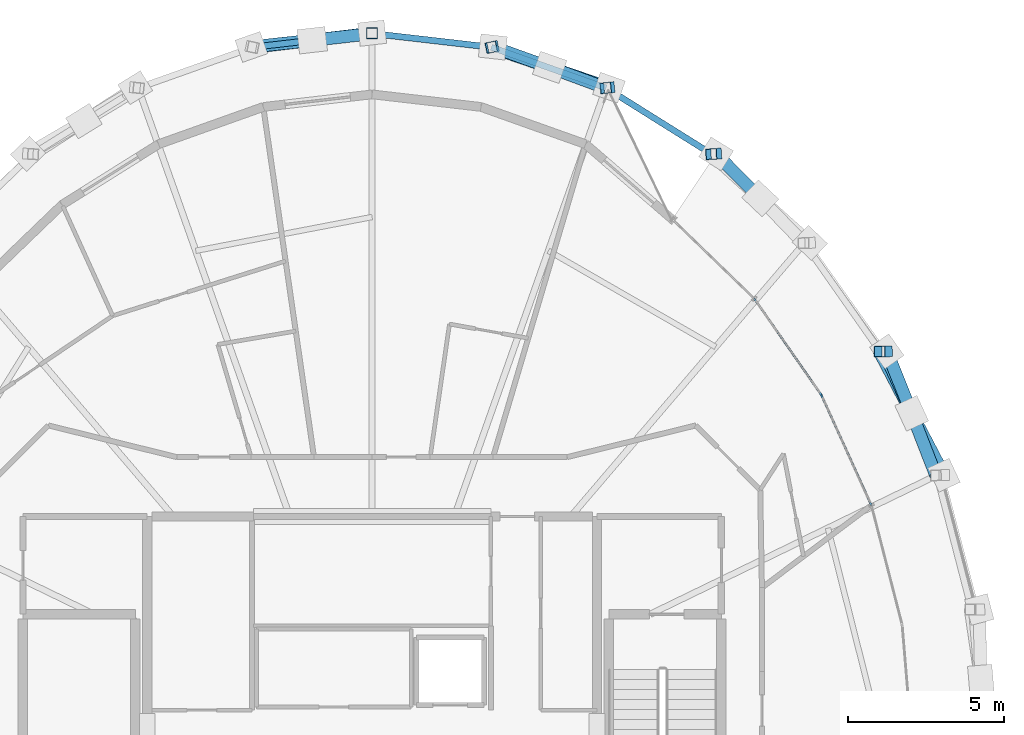
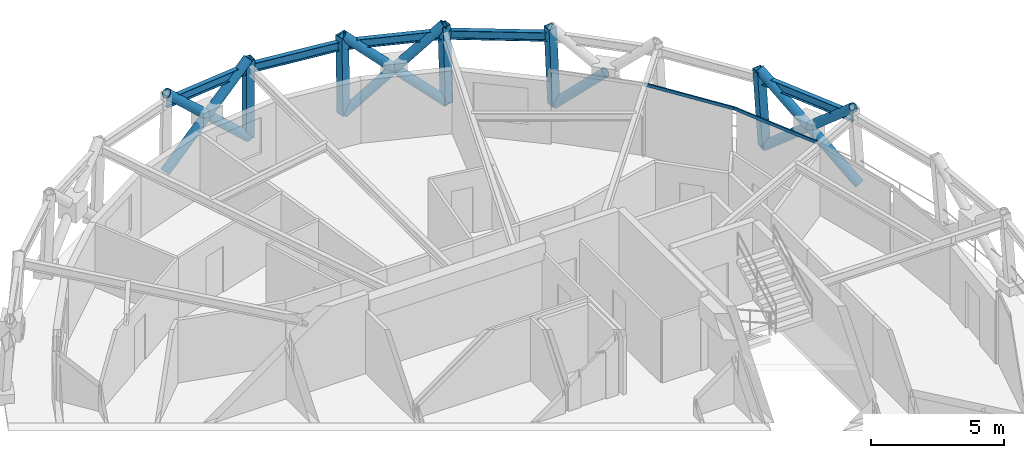
# One storey, part 8 of 15: 17 members, 5 beams, 1 element without a shape of its own.
"""IFC4 building model written with IfcOpenShell, lengths in metres."""

from ifc_helpers import new_model, si_unit, direction, frame, origin, origin_2d, place, context, subcontext, project, spatial, hollow_rectangle, hollow_circle, i_section, extrude, material, layer, layer_set, material_profile, profile_set, type_object, element, aggregate, save


model = new_model("IFC4")

# Units and contexts
model_context = context("Model", 3, precision=1e-05, world=origin(), true_north=direction((0.0, 1.0)))
body_context = subcontext(model_context, "Body", "Model", "MODEL_VIEW")
ifc_project = project(units=[si_unit("LENGTHUNIT", "METRE"), si_unit("AREAUNIT", "SQUARE_METRE"), si_unit("VOLUMEUNIT", "CUBIC_METRE"), si_unit("PLANEANGLEUNIT", "RADIAN"), si_unit("MASSUNIT", "GRAM", prefix="KILO")], contexts=[model_context])

# Site, building, storey
site_placement = place(None, origin())
site = spatial("IfcSite", under=ifc_project, at=site_placement, CompositionType="ELEMENT")
building_placement = place(site_placement, origin())
building = spatial("IfcBuilding", under=site, at=building_placement, Name="Veldorina Hangang Commons", CompositionType="ELEMENT")
storey_placement = place(building_placement, frame((0.0, 0.0, 290.39990234375)))
storey = spatial("IfcBuildingStorey", under=building, at=storey_placement, Name="L76", CompositionType="ELEMENT", Elevation=290.39990234375)

# Beams
ifc_material_1 = material(Name="Steel SM355-TMC", Category="steel")
ifc_material_profile_1 = material_profile(ifc_material_1, i_section(OverallWidth=0.199951171875, OverallDepth=0.39990234375, WebThickness=0.008056640625, FlangeThickness=0.012939453125, FilletRadius=0.012939453125, at=origin_2d()), Name="H-400x200x8x13")
ifc_profile_set_1 = profile_set([ifc_material_profile_1], Name="Steel SM355-TMC")
beam_type = type_object("IfcBeamType", Name="BM-RB400", PredefinedType="BEAM", material=ifc_profile_set_1)
beam_1_placement = place(storey_placement, frame((50.0810546875, 32.768798828125, 3.16015625), z_axis=(-0.415289323672, 0.909689385254, 0.0), x_axis=(-0.909689385254, -0.415289323672, 0.0)))
element("IfcBeam", 1, at=beam_1_placement, inside=storey, type_object=beam_type, Name="L76 perimeter hoop ring beam 02", PredefinedType="BEAM", context=body_context, shape_type="SweptSolid", body=[
    extrude(i_section(OverallWidth=0.199951171875, OverallDepth=0.39990234375, WebThickness=0.008056640625, FlangeThickness=0.012939453125, FilletRadius=0.012939453125, at=origin_2d()), origin(), (0.0, 0.0, 1.0), 4.3544921875),
])
beam_2_placement = place(storey_placement, frame((42.873046875, 43.052001953125, 3.16015625), z_axis=(-0.847692335446, 0.530488175577, 0.0), x_axis=(-0.530488175577, -0.847692335446, 0.0)))
element("IfcBeam", 2, at=beam_2_placement, inside=storey, type_object=beam_type, Name="L76 perimeter hoop ring beam 05", PredefinedType="BEAM", context=body_context, shape_type="SweptSolid", body=[
    extrude(i_section(OverallWidth=0.199951171875, OverallDepth=0.39990234375, WebThickness=0.008056640625, FlangeThickness=0.012939453125, FilletRadius=0.012939453125, at=origin_2d()), origin(), (0.0, 0.0, 1.0), 3.991455078125),
])
beam_3_placement = place(storey_placement, frame((39.489501953125, 45.16943359375, 3.16015625), z_axis=(-0.942330235689, 0.334684518474, 0.0), x_axis=(-0.334684518474, -0.942330235689, 0.0)))
element("IfcBeam", 3, at=beam_3_placement, inside=storey, type_object=beam_type, Name="L76 perimeter hoop ring beam 06", PredefinedType="BEAM", context=body_context, shape_type="SweptSolid", body=[
    extrude(i_section(OverallWidth=0.199951171875, OverallDepth=0.39990234375, WebThickness=0.008056640625, FlangeThickness=0.012939453125, FilletRadius=0.012939453125, at=origin_2d()), origin(), (0.0, 0.0, 1.0), 3.89599609375),
])
for number, where, z_axis, x_axis, name in (
    (4, (35.818115234375, 46.473388671875, 3.16015625), (-0.993419781155, 0.114530076439, 0.0), (-0.114530076439, -0.993419781155, 0.0), "L76 perimeter hoop ring beam 07"),
    (5, (32.0, 46.91357421875, 3.16015625), (-0.993419781155, -0.114530076439, 0.0), (0.114530076439, -0.993419781155, 0.0), "L76 perimeter hoop ring beam 08"),
):
    element("IfcBeam", number, at=place(storey_placement, frame(where, z_axis=z_axis, x_axis=x_axis)), inside=storey, type_object=beam_type, Name=name, PredefinedType="BEAM", context=body_context, shape_type="SweptSolid", body=[
        extrude(i_section(OverallWidth=0.199951171875, OverallDepth=0.39990234375, WebThickness=0.008056640625, FlangeThickness=0.012939453125, FilletRadius=0.012939453125, at=origin_2d()), origin(), (0.0, 0.0, 1.0), 3.843505859375),
    ])

# Curtain wall, members
ifc_material_2 = material(Name="Glass Low-E Selective", Category="glass")
ifc_layer = layer(ifc_material_2, 0.179931640625)
ifc_layer_set = layer_set([ifc_layer], Name="Glass Low-E Selective")
curtain_wall_type = type_object("IfcCurtainWallType", Name="CW-SYS-Z3", PredefinedType="NOTDEFINED", material=ifc_layer_set)
curtain_wall_placement = place(storey_placement, origin())
curtain_wall = element("IfcCurtainWall", 6, at=curtain_wall_placement, inside=storey, type_object=curtain_wall_type, Name="L76 unitised curtain wall CW-L76-R1", PredefinedType="NOTDEFINED")
ifc_material_3 = material(Name="Aluminium Anodized AA6063-T6", Category="aluminium")
ifc_material_profile_2 = material_profile(ifc_material_3, hollow_rectangle(XDim=0.06005859375, YDim=0.139892578125, WallThickness=0.00341796875, at=origin_2d()), Name="ALU-RHS-140x60x3.5")
ifc_profile_set_2 = profile_set([ifc_material_profile_2], Name="Aluminium Anodized AA6063-T6")
member_type_1 = type_object("IfcMemberType", Name="CW-TRN-140", PredefinedType="USERDEFINED", material=ifc_profile_set_2)
member_1_placement = place(storey_placement, frame((47.984375, 31.808349609375, 3.280029296875), z_axis=(-0.412824348326, 0.910810659484, 0.0), x_axis=(-0.910810659484, -0.412824348326, 0.0)))
member_1 = element("IfcMember", 7, at=member_1_placement, type_object=member_type_1, Name="CW-L76-R1 facet 3 transom 1", ObjectType="TRANSOM", PredefinedType="USERDEFINED", context=body_context, shape_type="SweptSolid", body=[
    extrude(hollow_rectangle(XDim=0.06005859375, YDim=0.139892578125, WallThickness=0.00341796875, at=origin_2d()), origin(), (0.0, 0.0, 1.0), 3.873046875),
])
member_2_placement = place(storey_placement, frame((46.385498046875, 35.3359375, 3.280029296875), z_axis=(-0.571176518666, 0.820827256202, 0.0), x_axis=(-0.820827256202, -0.571176518666, 0.0)))
member_2 = element("IfcMember", 8, at=member_2_placement, type_object=member_type_1, Name="CW-L76-R1 facet 4 transom 1", ObjectType="TRANSOM", PredefinedType="USERDEFINED", context=body_context, shape_type="SweptSolid", body=[
    extrude(hollow_rectangle(XDim=0.06005859375, YDim=0.139892578125, WallThickness=0.00341796875, at=origin_2d()), origin(), (0.0, 0.0, 1.0), 3.76708984375),
])
aggregate(curtain_wall, [member_1, member_2])

# Members
ifc_material_profile_3 = material_profile(ifc_material_1, hollow_circle(Radius=0.199951171875, WallThickness=0.02001953125, at=origin_2d()), Name="CHS-400x20")
ifc_profile_set_3 = profile_set([ifc_material_profile_3], Name="Steel SM355-TMC")
member_type_2 = type_object("IfcMemberType", Name="DG-CHS400", PredefinedType="BRACE", material=ifc_profile_set_3)
member_3_placement = place(storey_placement, frame((50.3125, 32.772705078125, 0.0), z_axis=(-0.360714109681, 0.689843387007, 0.627695334123), x_axis=(-0.886165231584, -0.46336938001, 0.0)))
element("IfcMember", 9, at=member_3_placement, inside=storey, type_object=member_type_2, Name="L76 continuous perimeter diagrid brace 02", PredefinedType="BRACE", context=body_context, shape_type="SweptSolid", body=[
    extrude(hollow_circle(Radius=0.199951171875, WallThickness=0.02001953125, at=origin_2d()), origin(), (0.0, 0.0, 1.0), 5.7353515625),
])
member_4_placement = place(storey_placement, frame((48.480712890625, 36.736083984375, 0.0), z_axis=(0.284752304542, -0.709172994043, 0.644972704522), x_axis=(0.9279871636, 0.372612163239, 0.0)))
element("IfcMember", 10, at=member_4_placement, inside=storey, type_object=member_type_2, Name="L76 split perimeter diagrid lower brace 03", PredefinedType="BRACE", context=body_context, shape_type="SweptSolid", body=[
    extrude(hollow_circle(Radius=0.199951171875, WallThickness=0.02001953125, at=origin_2d()), origin(), (0.0, 0.0, 1.0), 2.795166015625),
])
member_5_placement = place(storey_placement, frame((49.276611328125, 34.75390625, 1.802734375), z_axis=(0.27702421931, -0.712398039794, 0.644784161417), x_axis=(0.932013272639, 0.36242414327, 0.0)))
element("IfcMember", 11, at=member_5_placement, inside=storey, type_object=member_type_2, Name="L76 split perimeter diagrid upper brace 03", PredefinedType="BRACE", context=body_context, shape_type="SweptSolid", body=[
    extrude(hollow_circle(Radius=0.199951171875, WallThickness=0.02001953125, at=origin_2d()), origin(), (0.0, 0.0, 1.0), 2.78759765625),
])
member_6_placement = place(storey_placement, frame((43.01220703125, 43.060791015625, 0.0), z_axis=(0.524124718408, -0.527286994764, 0.668776274031), x_axis=(0.709230301674, 0.704976864292, 0.0)))
element("IfcMember", 12, at=member_6_placement, inside=storey, type_object=member_type_2, Name="L76 split perimeter diagrid lower brace 05", PredefinedType="BRACE", context=body_context, shape_type="SweptSolid", body=[
    extrude(hollow_circle(Radius=0.199951171875, WallThickness=0.02001953125, at=origin_2d()), origin(), (0.0, 0.0, 1.0), 2.7021484375),
])
member_7_placement = place(storey_placement, frame((39.585205078125, 45.17919921875, 0.0), z_axis=(-0.702323503941, 0.240574650884, 0.669974277987), x_axis=(-0.324056754657, -0.946037641831, 0.0)))
element("IfcMember", 13, at=member_7_placement, inside=storey, type_object=member_type_2, Name="L76 continuous perimeter diagrid brace 06", PredefinedType="BRACE", context=body_context, shape_type="SweptSolid", body=[
    extrude(hollow_circle(Radius=0.199951171875, WallThickness=0.02001953125, at=origin_2d()), origin(), (0.0, 0.0, 1.0), 5.37353515625),
])
member_8_placement = place(storey_placement, frame((35.866943359375, 46.483642578125, 0.0), z_axis=(0.686602192342, -0.246867168606, 0.683837722369), x_axis=(0.338343776847, 0.941022576068, 0.0)))
element("IfcMember", 14, at=member_8_placement, inside=storey, type_object=member_type_2, Name="L76 split perimeter diagrid lower brace 07", PredefinedType="BRACE", context=body_context, shape_type="SweptSolid", body=[
    extrude(hollow_circle(Radius=0.199951171875, WallThickness=0.02001953125, at=origin_2d()), origin(), (0.0, 0.0, 1.0), 2.6494140625),
])
member_9_placement = place(storey_placement, frame((37.68603515625, 45.82958984375, 1.811767578125), z_axis=(0.684433199342, -0.252975173243, 0.683779757935), x_axis=(0.346689290759, 0.937980029464, 0.0)))
element("IfcMember", 15, at=member_9_placement, inside=storey, type_object=member_type_2, Name="L76 split perimeter diagrid upper brace 07", PredefinedType="BRACE", context=body_context, shape_type="SweptSolid", body=[
    extrude(hollow_circle(Radius=0.199951171875, WallThickness=0.02001953125, at=origin_2d()), origin(), (0.0, 0.0, 1.0), 2.615478515625),
])
member_10_placement = place(storey_placement, frame((32.0, 46.92431640625, 0.0), z_axis=(-0.724268826582, -0.08596951737, 0.684137346536), x_axis=(0.117870898916, -0.99302892767, 0.0)))
element("IfcMember", 16, at=member_10_placement, inside=storey, type_object=member_type_2, Name="L76 continuous perimeter diagrid brace 08", PredefinedType="BRACE", context=body_context, shape_type="SweptSolid", body=[
    extrude(hollow_circle(Radius=0.199951171875, WallThickness=0.02001953125, at=origin_2d()), origin(), (0.0, 0.0, 1.0), 5.26220703125),
])
member_11_placement = place(storey_placement, frame((28.133056640625, 46.483642578125, 0.0), z_axis=(0.72964988342, 0.079659695219, 0.679165208608), x_axis=(-0.108530348661, 0.99409313619, 0.0)))
element("IfcMember", 17, at=member_11_placement, inside=storey, type_object=member_type_2, Name="L76 split perimeter diagrid lower brace 09", PredefinedType="BRACE", context=body_context, shape_type="SweptSolid", body=[
    extrude(hollow_circle(Radius=0.199951171875, WallThickness=0.02001953125, at=origin_2d()), origin(), (0.0, 0.0, 1.0), 2.66943359375),
])
member_12_placement = place(storey_placement, frame((30.080810546875, 46.6962890625, 1.81298828125), z_axis=(0.729375268231, 0.082021083465, 0.679179107423), x_axis=(-0.111749520786, 0.993736405997, 0.0)))
element("IfcMember", 18, at=member_12_placement, inside=storey, type_object=member_type_2, Name="L76 split perimeter diagrid upper brace 09", PredefinedType="BRACE", context=body_context, shape_type="SweptSolid", body=[
    extrude(hollow_circle(Radius=0.199951171875, WallThickness=0.02001953125, at=origin_2d()), origin(), (0.0, 0.0, 1.0), 2.63134765625),
])
ifc_material_profile_4 = material_profile(ifc_material_1, hollow_rectangle(XDim=0.35009765625, YDim=0.35009765625, WallThickness=0.01611328125, at=origin_2d()), Name="SHS-350x350x16")
ifc_profile_set_4 = profile_set([ifc_material_profile_4], Name="Steel SM355-TMC")
member_type_3 = type_object("IfcMemberType", Name="STR-SHS350", PredefinedType="STRUT", material=ifc_profile_set_4)
member_13_placement = place(storey_placement, frame((48.480712890625, 36.736083984375, 0.0), z_axis=(-0.065705950806, -0.001894713309, 0.997837230259), x_axis=(0.028824269664, -0.999584494417, 0.0)))
element("IfcMember", 19, at=member_13_placement, inside=storey, type_object=member_type_3, Name="L76 perimeter ring node post 03", PredefinedType="STRUT", context=body_context, shape_type="SweptSolid", body=[
    extrude(hollow_rectangle(XDim=0.35009765625, YDim=0.35009765625, WallThickness=0.01611328125, at=origin_2d()), origin(), (0.0, 0.0, 1.0), 3.60791015625),
])
member_14_placement = place(storey_placement, frame((43.01220703125, 43.060791015625, 0.0), z_axis=(-0.044036818843, -0.002777707035, 0.999026047173), x_axis=(0.06295181426, -0.998016567539, 0.0)))
element("IfcMember", 20, at=member_14_placement, inside=storey, type_object=member_type_3, Name="L76 perimeter ring node post 05", PredefinedType="STRUT", context=body_context, shape_type="SweptSolid", body=[
    extrude(hollow_rectangle(XDim=0.35009765625, YDim=0.35009765625, WallThickness=0.01611328125, at=origin_2d()), origin(), (0.0, 0.0, 1.0), 3.603515625),
])
member_15_placement = place(storey_placement, frame((39.585205078125, 45.17919921875, 0.0), z_axis=(-0.030299240211, -0.003118042617, 0.999536009283), x_axis=(0.102367662345, -0.994746631915, 0.0)))
element("IfcMember", 21, at=member_15_placement, inside=storey, type_object=member_type_3, Name="L76 perimeter ring node post 06", PredefinedType="STRUT", context=body_context, shape_type="SweptSolid", body=[
    extrude(hollow_rectangle(XDim=0.35009765625, YDim=0.35009765625, WallThickness=0.01611328125, at=origin_2d()), origin(), (0.0, 0.0, 1.0), 3.601806640625),
])
member_16_placement = place(storey_placement, frame((35.866943359375, 46.483642578125, 0.0), z_axis=(-0.015459890388, -0.003254713766, 0.999875191525), x_axis=(0.20601048105, -0.978549784987, 0.0)))
element("IfcMember", 22, at=member_16_placement, inside=storey, type_object=member_type_3, Name="L76 perimeter ring node post 07", PredefinedType="STRUT", context=body_context, shape_type="SweptSolid", body=[
    extrude(hollow_rectangle(XDim=0.35009765625, YDim=0.35009765625, WallThickness=0.01611328125, at=origin_2d()), origin(), (0.0, 0.0, 1.0), 3.6005859375),
])
member_17_placement = place(storey_placement, frame((32.0, 46.92431640625, 0.0), z_axis=(0.0, -0.003390730542, 0.999994251457), x_axis=(1.0, 0.0, 0.0)))
element("IfcMember", 23, at=member_17_placement, inside=storey, type_object=member_type_3, Name="L76 perimeter ring node post 08", PredefinedType="STRUT", context=body_context, shape_type="SweptSolid", body=[
    extrude(hollow_rectangle(XDim=0.35009765625, YDim=0.35009765625, WallThickness=0.01611328125, at=origin_2d()), origin(), (0.0, 0.0, 1.0), 3.60009765625),
])

save(model, "model.ifc")
